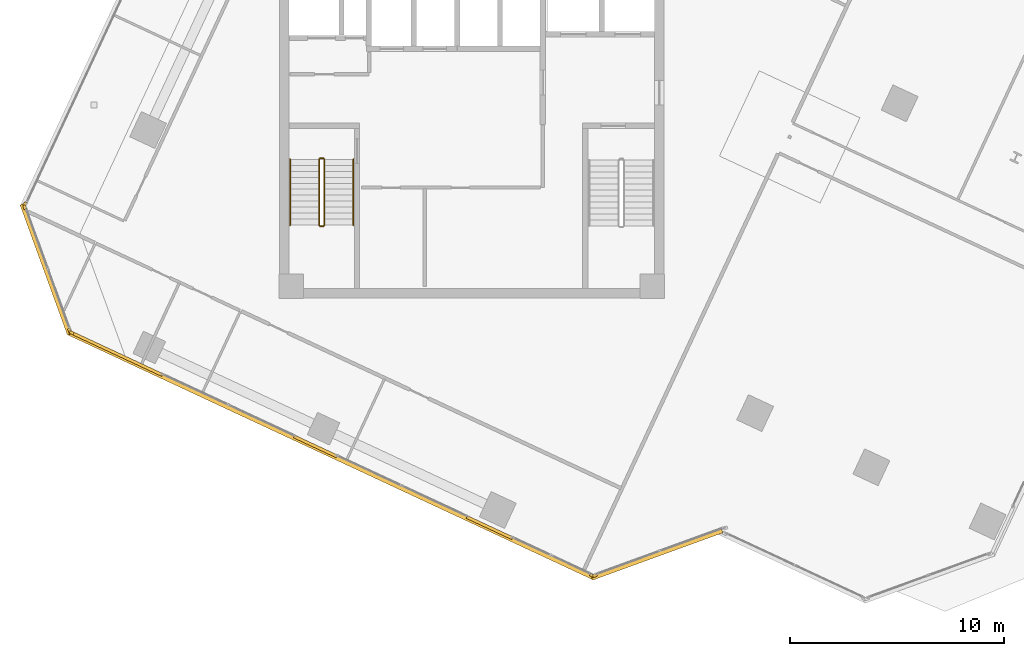
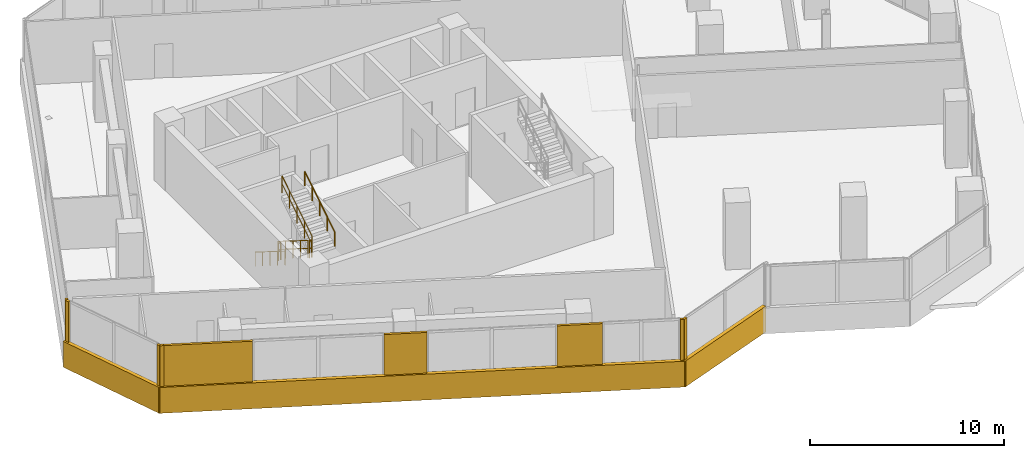
# One storey, part 20 of 23: 12 coverings, 6 railings.
"""IFC4 building model written with IfcOpenShell, lengths in metres."""

from ifc_helpers import new_model, si_unit, direction, frame, origin, origin_2d, place, context, subcontext, project, spatial, rectangle, circle, extrude, source, transform, mapped, material, layer, layer_set, type_object, element, save


model = new_model("IFC4")

# Units and contexts
model_context = context("Model", 3, precision=1e-05, world=origin(), true_north=direction((0.0, 1.0)))
body_context = subcontext(model_context, "Body", "Model", "MODEL_VIEW")
ifc_project = project(units=[si_unit("LENGTHUNIT", "METRE"), si_unit("AREAUNIT", "SQUARE_METRE"), si_unit("VOLUMEUNIT", "CUBIC_METRE"), si_unit("PLANEANGLEUNIT", "RADIAN"), si_unit("MASSUNIT", "GRAM", prefix="KILO")], contexts=[model_context])

# Site, building, storey
site_placement = place(None, origin())
site = spatial("IfcSite", under=ifc_project, at=site_placement, CompositionType="ELEMENT")
building_placement = place(site_placement, origin())
building = spatial("IfcBuilding", under=site, at=building_placement, Name="Torre Montelarca", CompositionType="ELEMENT")
storey_placement = place(building_placement, frame((0.0, 0.0, 154.0)))
storey = spatial("IfcBuildingStorey", under=building, at=storey_placement, Name="L34", CompositionType="ELEMENT", Elevation=154.0)

# Railings
ifc_material_1 = material(Name="Powder-coated steel ASTM A500 Grade C", Category="steel")
railing_type_1 = type_object("IfcRailingType", Name="RL-GUARD-1100", PredefinedType="BALUSTRADE", material=ifc_material_1)
railing_1_placement = place(storey_placement, frame((10.85009765625, 30.5, 0.175048828125)))
element("IfcRailing", 1, at=railing_1_placement, inside=storey, type_object=railing_type_1, Name="L34 ST1 stair guard 1", PredefinedType="BALUSTRADE", context=body_context, shape_type="SweptSolid", body=[
    extrude(circle(Radius=0.02392578125, at=origin_2d()), frame((0.0, 0.0, 1.076171875), z_axis=(0.0, -0.847998304005, 0.529998940003), x_axis=(1.0, 0.0, 0.0)), (0.0, 0.0, 1.0), 3.632080078125),
    extrude(circle(Radius=0.02099609375, at=origin_2d()), frame((0.0, 0.0, 0.572021484375), z_axis=(0.0, -0.847998304005, 0.529998940003), x_axis=(1.0, 0.0, 0.0)), (0.0, 0.0, 1.0), 3.632080078125),
    extrude(circle(Radius=0.02099609375, at=origin_2d()), origin(), (0.0, 0.0, 1.0), 1.052001953125),
    extrude(circle(Radius=0.02099609375, at=origin_2d()), frame((0.0, -0.77001953125, 0.481201171875)), (0.0, 0.0, 1.0), 1.052001953125),
    extrude(circle(Radius=0.02099609375, at=origin_2d()), frame((0.0, -1.5400390625, 0.96240234375)), (0.0, 0.0, 1.0), 1.052001953125),
    extrude(circle(Radius=0.02099609375, at=origin_2d()), frame((0.0, -2.31005859375, 1.44384765625)), (0.0, 0.0, 1.0), 1.052001953125),
    extrude(circle(Radius=0.02099609375, at=origin_2d()), frame((0.0, -3.080078125, 1.925048828125)), (0.0, 0.0, 1.0), 1.052001953125),
])
railing_2_placement = place(storey_placement, frame((10.89990234375, 27.3701171875, 2.10009765625)))
element("IfcRailing", 2, at=railing_2_placement, inside=storey, type_object=railing_type_1, Name="L34 ST1 stair guard 2", PredefinedType="BALUSTRADE", context=body_context, shape_type="SweptSolid", body=[
    extrude(circle(Radius=0.02392578125, at=origin_2d()), frame((0.0, 0.0, 1.076171875), z_axis=(1.0, 0.0, 0.0), x_axis=(0.0, 1.0, 0.0)), (0.0, 0.0, 1.0), 0.150146484375),
    extrude(circle(Radius=0.02099609375, at=origin_2d()), frame((0.0, 0.0, 0.572021484375), z_axis=(1.0, 0.0, 0.0), x_axis=(0.0, 1.0, 0.0)), (0.0, 0.0, 1.0), 0.150146484375),
    extrude(circle(Radius=0.02099609375, at=origin_2d()), origin(), (0.0, 0.0, 1.0), 1.052001953125),
    extrude(circle(Radius=0.02099609375, at=origin_2d()), frame((0.150146484375, 0.0, 0.0)), (0.0, 0.0, 1.0), 1.052001953125),
])
railing_3_placement = place(storey_placement, frame((11.10009765625, 27.419921875, 2.27490234375)))
element("IfcRailing", 3, at=railing_3_placement, inside=storey, type_object=railing_type_1, Name="L34 ST1 stair guard 3", PredefinedType="BALUSTRADE", context=body_context, shape_type="SweptSolid", body=[
    extrude(circle(Radius=0.02392578125, at=origin_2d()), frame((0.0, 0.0, 1.076171875), z_axis=(0.0, 0.847998304005, 0.529998940003), x_axis=(-1.0, 0.0, 0.0)), (0.0, 0.0, 1.0), 3.632080078125),
    extrude(circle(Radius=0.02099609375, at=origin_2d()), frame((0.0, 0.0, 0.572021484375), z_axis=(0.0, 0.847998304005, 0.529998940003), x_axis=(-1.0, 0.0, 0.0)), (0.0, 0.0, 1.0), 3.632080078125),
    extrude(circle(Radius=0.02099609375, at=origin_2d()), origin(), (0.0, 0.0, 1.0), 1.052001953125),
    extrude(circle(Radius=0.02099609375, at=origin_2d()), frame((0.0, 0.77001953125, 0.481201171875)), (0.0, 0.0, 1.0), 1.052001953125),
    extrude(circle(Radius=0.02099609375, at=origin_2d()), frame((0.0, 1.5400390625, 0.96240234375)), (0.0, 0.0, 1.0), 1.052001953125),
    extrude(circle(Radius=0.02099609375, at=origin_2d()), frame((0.0, 2.31005859375, 1.44384765625)), (0.0, 0.0, 1.0), 1.052001953125),
    extrude(circle(Radius=0.02099609375, at=origin_2d()), frame((0.0, 3.080078125, 1.925048828125)), (0.0, 0.0, 1.0), 1.052001953125),
])
railing_4_placement = place(storey_placement, frame((10.89990234375, 30.550048828125, 0.0)))
element("IfcRailing", 4, at=railing_4_placement, inside=storey, type_object=railing_type_1, Name="L34 ST1 stair guard 4", PredefinedType="BALUSTRADE", context=body_context, shape_type="SweptSolid", body=[
    extrude(circle(Radius=0.02392578125, at=origin_2d()), frame((0.0, 0.0, 1.076171875), z_axis=(1.0, 0.0, 0.0), x_axis=(0.0, 1.0, 0.0)), (0.0, 0.0, 1.0), 0.150146484375),
    extrude(circle(Radius=0.02099609375, at=origin_2d()), frame((0.0, 0.0, 0.572021484375), z_axis=(1.0, 0.0, 0.0), x_axis=(0.0, 1.0, 0.0)), (0.0, 0.0, 1.0), 0.150146484375),
    extrude(circle(Radius=0.02099609375, at=origin_2d()), origin(), (0.0, 0.0, 1.0), 1.052001953125),
    extrude(circle(Radius=0.02099609375, at=origin_2d()), frame((0.150146484375, 0.0, 0.0)), (0.0, 0.0, 1.0), 1.052001953125),
])
ifc_material_2 = material(Name="Brushed stainless steel AISI 316", Category="steel")
railing_type_2 = type_object("IfcRailingType", Name="RL-HANDRAIL-900", PredefinedType="HANDRAIL", material=ifc_material_2)
railing_5_placement = place(storey_placement, frame((9.5, 30.5, 0.175048828125)))
element("IfcRailing", 5, at=railing_5_placement, inside=storey, type_object=railing_type_2, Name="L34 ST1 stair handrail 1", PredefinedType="HANDRAIL", context=body_context, shape_type="SweptSolid", body=[
    extrude(circle(Radius=0.02392578125, at=origin_2d()), frame((0.0, 0.0, 0.8759765625), z_axis=(0.0, -0.847998304005, 0.529998940003), x_axis=(1.0, 0.0, 0.0)), (0.0, 0.0, 1.0), 3.632080078125),
    extrude(circle(Radius=0.02099609375, at=origin_2d()), origin(), (0.0, 0.0, 1.0), 0.851806640625),
    extrude(circle(Radius=0.02099609375, at=origin_2d()), frame((0.0, -0.77001953125, 0.481201171875)), (0.0, 0.0, 1.0), 0.851806640625),
    extrude(circle(Radius=0.02099609375, at=origin_2d()), frame((0.0, -1.5400390625, 0.96240234375)), (0.0, 0.0, 1.0), 0.851806640625),
    extrude(circle(Radius=0.02099609375, at=origin_2d()), frame((0.0, -2.31005859375, 1.44384765625)), (0.0, 0.0, 1.0), 0.851806640625),
    extrude(circle(Radius=0.02099609375, at=origin_2d()), frame((0.0, -3.080078125, 1.925048828125)), (0.0, 0.0, 1.0), 0.851806640625),
])
railing_6_placement = place(storey_placement, frame((12.449951171875, 27.419921875, 2.27490234375)))
element("IfcRailing", 6, at=railing_6_placement, inside=storey, type_object=railing_type_2, Name="L34 ST1 stair handrail 2", PredefinedType="HANDRAIL", context=body_context, shape_type="SweptSolid", body=[
    extrude(circle(Radius=0.02392578125, at=origin_2d()), frame((0.0, 0.0, 0.8759765625), z_axis=(0.0, 0.847998304005, 0.529998940003), x_axis=(-1.0, 0.0, 0.0)), (0.0, 0.0, 1.0), 3.632080078125),
    extrude(circle(Radius=0.02099609375, at=origin_2d()), origin(), (0.0, 0.0, 1.0), 0.851806640625),
    extrude(circle(Radius=0.02099609375, at=origin_2d()), frame((0.0, 0.77001953125, 0.481201171875)), (0.0, 0.0, 1.0), 0.851806640625),
    extrude(circle(Radius=0.02099609375, at=origin_2d()), frame((0.0, 1.5400390625, 0.96240234375)), (0.0, 0.0, 1.0), 0.851806640625),
    extrude(circle(Radius=0.02099609375, at=origin_2d()), frame((0.0, 2.31005859375, 1.44384765625)), (0.0, 0.0, 1.0), 0.851806640625),
    extrude(circle(Radius=0.02099609375, at=origin_2d()), frame((0.0, 3.080078125, 1.925048828125)), (0.0, 0.0, 1.0), 0.851806640625),
])

# Coverings
ifc_material_3 = material(Name="Bush-hammered warm white precast concrete C45/55", Category="concrete")
ifc_layer = layer(ifc_material_3, 0.139892578125, Name="Bush-hammered warm white precast concrete C45/55", Category="concrete")
ifc_layer_set = layer_set([ifc_layer], Name="Bush-hammered warm white precast concrete C45/55")
covering_type = type_object("IfcCoveringType", Name="COV-TRAY-CLAD", PredefinedType="CLADDING", material=ifc_layer_set)
shared_shape_1 = source(origin(), body_context, "Body", "SweptSolid", [
    extrude(rectangle(XDim=6.48388671875, YDim=0.219970703125, at=origin_2d()), origin(), (0.0, 0.0, 1.0), 1.6201171875),
])
for number, where, z_axis, x_axis, name in (
    (7, (26.6669921875, 12.01513671875, -0.449951171875), (0.0, 0.0, 1.0), (0.939693217722, 0.342018503252, 0.0), "L34 Architectural White Spandrel Tray Band TRYBOT-02"),
    (8, (-1.933837890625, 25.35205078125, -0.449951171875), (0.0, 0.0, 1.0), (0.342018503252, -0.939693217722, 0.0), "L34 Architectural White Spandrel Tray Band TRYBOT-11"),
):
    element("IfcCovering", number, at=place(storey_placement, frame(where, z_axis=z_axis, x_axis=x_axis)), inside=storey, type_object=covering_type, Name=name, PredefinedType="CLADDING", context=body_context, shape_type="MappedRepresentation", body=[
        mapped(shared_shape_1, transform((0.0, 0.0, 0.0), scale=1.0)),
    ])
shared_shape_2 = source(origin(), body_context, "Body", "SweptSolid", [
    extrude(rectangle(XDim=27.219970703125, YDim=0.219970703125, at=origin_2d()), origin(), (0.0, 0.0, 1.0), 1.6201171875),
])
covering_1_placement = place(storey_placement, frame((11.419189453125, 16.65234375, -0.449951171875), z_axis=(0.0, 0.0, 1.0), x_axis=(0.906308524643, -0.422616679935, 0.0)))
element("IfcCovering", 9, at=covering_1_placement, inside=storey, type_object=covering_type, Name="L34 Architectural White Spandrel Tray Band TRYBOT-01", PredefinedType="CLADDING", context=body_context, shape_type="MappedRepresentation", body=[
    mapped(shared_shape_2, transform((0.0, 0.0, 0.0), scale=1.0)),
])
shared_shape_3 = source(origin(), body_context, "Body", "SweptSolid", [
    extrude(rectangle(XDim=0.199951171875, YDim=0.139892578125, at=origin_2d()), origin(), (0.0, 0.0, 1.0), 3.719970703125),
])
for number, where, z_axis, x_axis, name in (
    (10, (-0.730712890625, 22.38427734375, 0.0), (0.0, 0.0, 1.0), (0.906308524643, -0.422616679935, 0.0), "L34 Architectural Column Pier Cladding E01-1"),
    (11, (23.6201171875, 11.029296875, 0.0), (0.0, 0.0, 1.0), (0.906308524643, -0.422616679935, 0.0), "L34 Architectural Column Pier Cladding E01-5"),
    (12, (23.76513671875, 11.02294921875, 0.0), (0.0, 0.0, 1.0), (0.939695008514, 0.342013583025, 0.0), "L34 Architectural Column Pier Cladding E02-1"),
    (13, (-2.919921875, 28.398681640625, 0.0), (0.0, 0.0, 1.0), (-0.422618261741, -0.906307787037, 0.0), "L34 Architectural Column Pier Cladding E10-2"),
    (14, (-2.92626953125, 28.253662109375, 0.0), (0.0, 0.0, 1.0), (0.342011942948, -0.939695605439, 0.0), "L34 Architectural Column Pier Cladding E11-1"),
    (15, (-0.828857421875, 22.4912109375, 0.0), (0.0, 0.0, 1.0), (0.342011942948, -0.939695605439, 0.0), "L34 Architectural Column Pier Cladding E11-2"),
):
    element("IfcCovering", number, at=place(storey_placement, frame(where, z_axis=z_axis, x_axis=x_axis)), inside=storey, type_object=covering_type, Name=name, PredefinedType="CLADDING", context=body_context, shape_type="MappedRepresentation", body=[
        mapped(shared_shape_3, transform((0.0, 0.0, 0.0), scale=1.0)),
    ])
shared_shape_4 = source(origin(), body_context, "Body", "SweptSolid", [
    extrude(rectangle(XDim=2.360107421875, YDim=0.139892578125, at=origin_2d()), origin(), (0.0, 0.0, 1.0), 3.719970703125),
])
covering_2_placement = place(storey_placement, frame((18.8310546875, 13.262451171875, 0.0), z_axis=(0.0, 0.0, 1.0), x_axis=(0.906308524643, -0.422616679935, 0.0)))
element("IfcCovering", 16, at=covering_2_placement, inside=storey, type_object=covering_type, Name="L34 Architectural Column Pier Cladding E01-4", PredefinedType="CLADDING", context=body_context, shape_type="MappedRepresentation", body=[
    mapped(shared_shape_4, transform((0.0, 0.0, 0.0), scale=1.0)),
])
shared_shape_5 = source(origin(), body_context, "Body", "SweptSolid", [
    extrude(rectangle(XDim=4.689208984375, YDim=0.139892578125, at=origin_2d()), origin(), (0.0, 0.0, 1.0), 3.719970703125),
])
covering_3_placement = place(storey_placement, frame((1.39404296875, 21.393310546875, 0.0), z_axis=(0.0, 0.0, 1.0), x_axis=(0.906308524643, -0.422616679935, 0.0)))
element("IfcCovering", 17, at=covering_3_placement, inside=storey, type_object=covering_type, Name="L34 Architectural Column Pier Cladding E01-2", PredefinedType="CLADDING", context=body_context, shape_type="MappedRepresentation", body=[
    mapped(shared_shape_5, transform((0.0, 0.0, 0.0), scale=1.0)),
])
shared_shape_6 = source(origin(), body_context, "Body", "SweptSolid", [
    extrude(rectangle(XDim=2.2099609375, YDim=0.139892578125, at=origin_2d()), origin(), (0.0, 0.0, 1.0), 3.719970703125),
])
covering_4_placement = place(storey_placement, frame((10.67431640625, 17.06591796875, 0.0), z_axis=(0.0, 0.0, 1.0), x_axis=(0.906308524643, -0.422616679935, 0.0)))
element("IfcCovering", 18, at=covering_4_placement, inside=storey, type_object=covering_type, Name="L34 Architectural Column Pier Cladding E01-3", PredefinedType="CLADDING", context=body_context, shape_type="MappedRepresentation", body=[
    mapped(shared_shape_6, transform((0.0, 0.0, 0.0), scale=1.0)),
])

save(model, "model.ifc")
